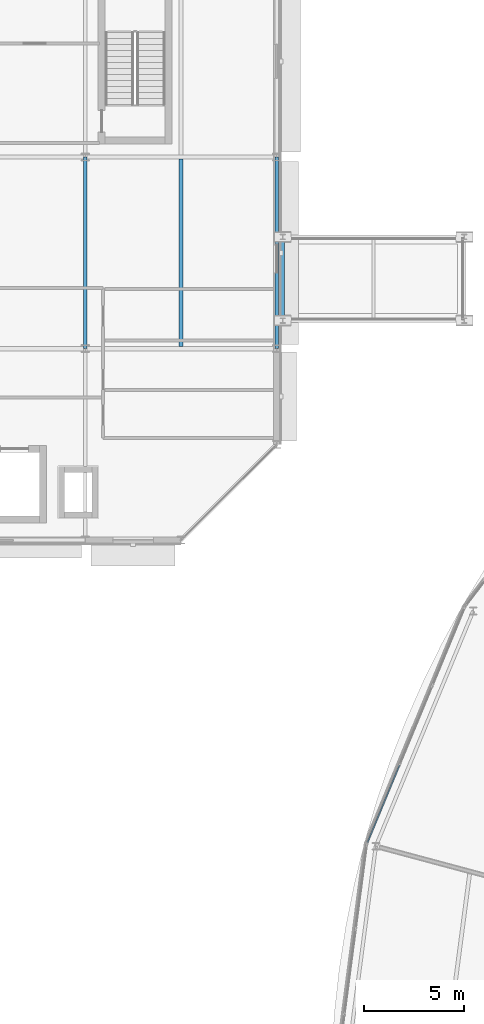
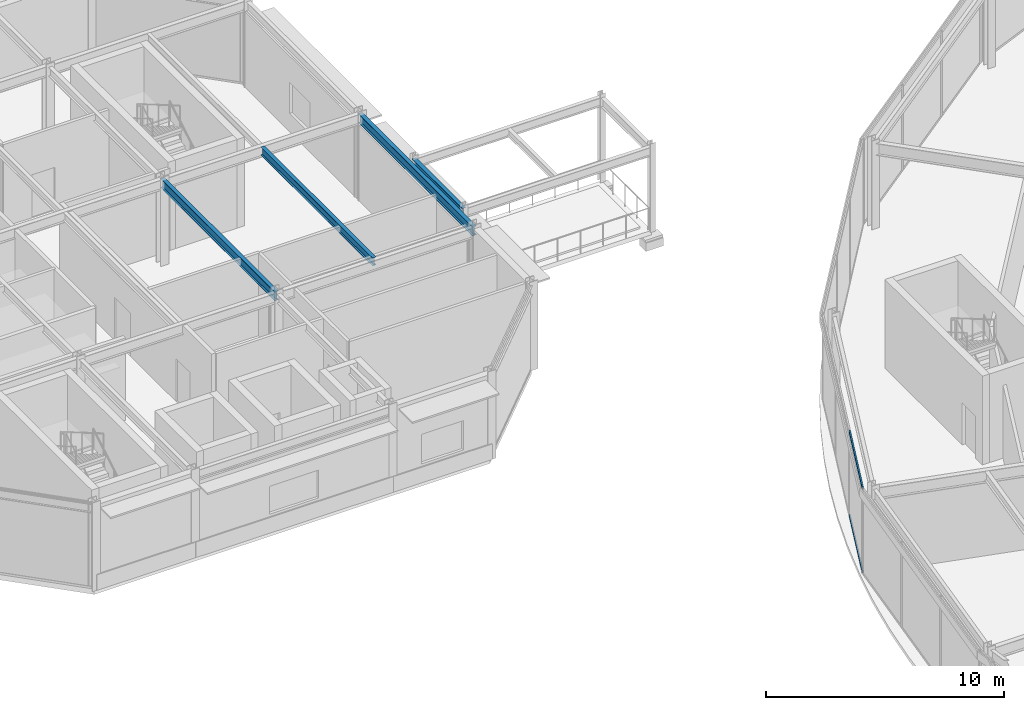
# One storey, part 57 of 157: 4 beams, 2 members, 1 element without a shape of its own.
"""IFC4 building model written with IfcOpenShell, lengths in metres."""

import ifcopenshell
import ifcopenshell.guid

model = None  # the IFC model being written
_history = None  # IfcOwnerHistory: only IFC2X3 demands one
_inside = {}  # id of a spatial element -> (the spatial element, [elements in it])
_under = {}  # id of a project, library or spatial element -> (it, [spatial elements below it])
_declared = {}  # id of a project -> (the project, [libraries it declares])
_typed = {}  # id of a type object -> (the type object, [elements of that type])
_made_of = {}  # id of a material, layer set ... -> (it, [elements and type objects made of it])


def new_model(schema):
    """Start an empty IFC model of exactly this schema.

    Asked for "IFC4X3", IfcOpenShell would pick the latest addendum, in which some entities
    have other attributes; the version numbers below select the first issue.
    IFC2X3 requires an IfcOwnerHistory on every rooted entity: one is made here for all.
    """
    global model, _history
    if schema == "IFC4X3":
        model = ifcopenshell.file(schema_version=(4, 3, 0, 0))
    else:
        model = ifcopenshell.file(schema=schema)
    _inside.clear()
    _under.clear()
    _declared.clear()
    _typed.clear()
    _made_of.clear()
    _history = None
    if model.schema == "IFC2X3":
        org = make("IfcOrganization", Name="unknown")
        user = make(
            "IfcPersonAndOrganization",
            ThePerson=make("IfcPerson", FamilyName="unknown"),
            TheOrganization=org,
        )
        app = make(
            "IfcApplication",
            ApplicationDeveloper=org,
            Version="unknown",
            ApplicationFullName="unknown",
            ApplicationIdentifier="unknown",
        )
        _history = make(
            "IfcOwnerHistory",
            OwningUser=user,
            OwningApplication=app,
            ChangeAction="ADDED",
            CreationDate=0,
        )
    return model


def make(cls, **values):
    """One entity of the class cls with the attributes given. An attribute that is None is left unset."""
    return model.create_entity(
        cls, **{name: value for name, value in values.items() if value is not None}
    )


def rooted(cls, **values):
    """An entity with a GlobalId (a new one), such as an element, a storey or a relation."""
    return make(cls, GlobalId=ifcopenshell.guid.new(), OwnerHistory=_history, **values)


def si_unit(unit_type, name, prefix=None):
    """IfcSIUnit, for example si_unit("LENGTHUNIT", "METRE", prefix="MILLI")."""
    return make("IfcSIUnit", UnitType=unit_type, Prefix=prefix, Name=name)


def assignment(units):
    """IfcUnitAssignment: the units of a project."""
    return None if units is None else make("IfcUnitAssignment", Units=units)


def point(xyz):
    """IfcCartesianPoint."""
    return None if xyz is None else make("IfcCartesianPoint", Coordinates=xyz)


def direction(xyz):
    """IfcDirection."""
    return None if xyz is None else make("IfcDirection", DirectionRatios=xyz)


def frame(location, z_axis=None, x_axis=None):
    """IfcAxis2Placement3D, a coordinate frame: its origin and axes. An axis left out is left unset."""
    return make(
        "IfcAxis2Placement3D",
        Location=point(location),
        Axis=direction(z_axis),
        RefDirection=direction(x_axis),
    )


def frame_2d(location, x_axis=None):
    """IfcAxis2Placement2D, a coordinate frame in the plane: its origin and x axis."""
    return make(
        "IfcAxis2Placement2D", Location=point(location), RefDirection=direction(x_axis)
    )


def origin():
    """The frame at (0, 0, 0) with its axes left unset."""
    return frame((0.0, 0.0, 0.0))


def origin_2d():
    """The frame at (0, 0) in the plane with its x axis left unset."""
    return frame_2d((0.0, 0.0))


def place(relative_to, where):
    """IfcLocalPlacement: puts the frame where relative to a parent placement (None: the world)."""
    return make(
        "IfcLocalPlacement", PlacementRelTo=relative_to, RelativePlacement=where
    )


def context(
    kind, dimensions, precision=None, world=None, true_north=None, identifier=None
):
    """IfcGeometricRepresentationContext, for example the 3D "Model" context."""
    return make(
        "IfcGeometricRepresentationContext",
        ContextIdentifier=identifier,
        ContextType=kind,
        CoordinateSpaceDimension=dimensions,
        Precision=precision,
        WorldCoordinateSystem=world,
        TrueNorth=true_north,
    )


def subcontext(parent, identifier, kind, view, scale=None):
    """IfcGeometricRepresentationSubContext, for example "Body" below "Model"."""
    return make(
        "IfcGeometricRepresentationSubContext",
        ContextIdentifier=identifier,
        ContextType=kind,
        ParentContext=parent,
        TargetScale=scale,
        TargetView=view,
    )


def project(units=None, contexts=None):
    """IfcProject with its units and contexts."""
    return rooted(
        "IfcProject",
        Name="project",
        RepresentationContexts=contexts,
        UnitsInContext=assignment(units),
    )


def spatial(cls, under=None, at=None, **own):
    """A site, building, storey or space (cls), placed at a placement, below another one or the project."""
    s = rooted(cls, ObjectPlacement=at, **own)
    if under is not None:
        _under.setdefault(under.id(), (under, []))[1].append(s)
    return s


def profile(cls, at=None, kind="AREA", **sizes):
    """A parametric profile (cls). Its sizes go by their IFC names, for example OverallWidth=200.0."""
    return make(cls, ProfileType=kind, Position=at, **sizes)


def hollow_rectangle(**sizes):
    """IfcRectangleHollowProfileDef."""
    return profile("IfcRectangleHollowProfileDef", **sizes)


def i_section(**sizes):
    """IfcIShapeProfileDef."""
    return profile("IfcIShapeProfileDef", **sizes)


def extrude(swept, where, along, depth):
    """IfcExtrudedAreaSolid: the profile swept, set in the frame where, extruded along a direction by depth."""
    return make(
        "IfcExtrudedAreaSolid",
        SweptArea=swept,
        Position=where,
        ExtrudedDirection=direction(along),
        Depth=depth,
    )


def shape(context_of_items, identifier, shape_type, items):
    """IfcShapeRepresentation: the items that make up one representation, for example the "Body"."""
    return make(
        "IfcShapeRepresentation",
        ContextOfItems=context_of_items,
        RepresentationIdentifier=identifier,
        RepresentationType=shape_type,
        Items=items,
    )


def material(Name=None, Category=None):
    """IfcMaterial."""
    return make("IfcMaterial", Name=Name, Category=Category)


def material_profile(
    of_material, cross_section, Name=None, Category=None, Priority=None
):
    """IfcMaterialProfile: a cross section and its material."""
    return make(
        "IfcMaterialProfile",
        Name=Name,
        Material=of_material,
        Profile=cross_section,
        Priority=Priority,
        Category=Category,
    )


def profile_set(profiles, Name=None, composite=None):
    """IfcMaterialProfileSet."""
    return make(
        "IfcMaterialProfileSet",
        Name=Name,
        MaterialProfiles=profiles,
        CompositeProfile=composite,
    )


def made_of(thing, what):
    """Note that an element or type object is made of a material, layer set ...; save() writes the relation."""
    if what is not None:
        _made_of.setdefault(what.id(), (what, []))[1].append(thing)
    return thing


def type_object(cls, material=None, **own):
    """A type object (cls), such as IfcWallType, which elements share."""
    return made_of(rooted(cls, **own), material)


def element(
    cls,
    number,
    at=None,
    inside=None,
    cuts=None,
    type_object=None,
    material=None,
    context=None,
    identifier="Body",
    shape_type=None,
    held_by="IfcProductDefinitionShape",
    body=None,
    shapes=None,
    **own,
):
    """One element of the class cls, such as IfcWall. Its Tag is "e" and its number.

    at: its placement. inside: the storey or other place that contains it. cuts: it is an
    opening in that element (IfcRelVoidsElement). A single representation is given by context,
    identifier, shape_type and body (its items); several are given by shapes. held_by: the class
    of the entity that holds the representations. save() writes the other relations.
    """
    e = rooted(cls, Tag="e%d" % number, ObjectPlacement=at, **own)
    if body is not None:
        shapes = [shape(context, identifier, shape_type, body)]
    if shapes is not None:
        e.Representation = make(held_by, Representations=shapes)
    if inside is not None:
        _inside.setdefault(inside.id(), (inside, []))[1].append(e)
    if cuts is not None:
        rooted(
            "IfcRelVoidsElement", RelatingBuildingElement=cuts, RelatedOpeningElement=e
        )
    if type_object is not None:
        _typed.setdefault(type_object.id(), (type_object, []))[1].append(e)
    return made_of(e, material)


def aggregate(whole, parts):
    """IfcRelAggregates: a whole, such as a stair, and the parts it consists of."""
    return rooted("IfcRelAggregates", RelatingObject=whole, RelatedObjects=parts)


def save(model, path):
    """Write the relations noted so far, then the file.

    IfcRelAggregates (storeys below a building ...), IfcRelContainedInSpatialStructure (elements
    in a storey), IfcRelDefinesByType, IfcRelAssociatesMaterial and IfcRelDeclares: one each for
    every whole, place, type object, material and project.
    """
    for whole, parts in _under.values():
        aggregate(whole, parts)
    for where, things in _inside.values():
        rooted(
            "IfcRelContainedInSpatialStructure",
            RelatedElements=things,
            RelatingStructure=where,
        )
    for kind, things in _typed.values():
        rooted("IfcRelDefinesByType", RelatedObjects=things, RelatingType=kind)
    for what, things in _made_of.values():
        rooted("IfcRelAssociatesMaterial", RelatedObjects=things, RelatingMaterial=what)
    for by, libraries in _declared.values():
        rooted("IfcRelDeclares", RelatingContext=by, RelatedDefinitions=libraries)
    model.write(path)


model = new_model("IFC4")

# Units and contexts
model_context = context("Model", 3, precision=1e-05, world=origin(), true_north=direction((0.0, 1.0)))
body_context = subcontext(model_context, "Body", "Model", "MODEL_VIEW")
ifc_project = project(units=[si_unit("LENGTHUNIT", "METRE"), si_unit("AREAUNIT", "SQUARE_METRE"), si_unit("VOLUMEUNIT", "CUBIC_METRE"), si_unit("PLANEANGLEUNIT", "RADIAN"), si_unit("MASSUNIT", "GRAM", prefix="KILO")], contexts=[model_context])

# Site, building, storey
site_placement = place(None, origin())
site = spatial("IfcSite", under=ifc_project, at=site_placement, CompositionType="ELEMENT")
building_placement = place(site_placement, origin())
building = spatial("IfcBuilding", under=site, at=building_placement, Name="Almandine Court Research Institute", CompositionType="ELEMENT")
storey_placement = place(building_placement, frame((0.0, 0.0, 5.25)))
storey = spatial("IfcBuildingStorey", under=building, at=storey_placement, Name="L01", CompositionType="ELEMENT", Elevation=5.25)

# Beams
ifc_material_1 = material(Name="Steel ASTM A992 Grade 50", Category="steel")
ifc_material_profile_1 = material_profile(ifc_material_1, i_section(OverallWidth=0.18994140625, OverallDepth=0.45703125, WebThickness=0.009033203125, FlangeThickness=0.014892578125, at=origin_2d()), Name="W460x74")
ifc_profile_set_1 = profile_set([ifc_material_profile_1], Name="Steel ASTM A992 Grade 50")
beam_type_1 = type_object("IfcBeamType", Name="Beam-B-01", PredefinedType="BEAM", material=ifc_profile_set_1)
beam_1_placement = place(storey_placement, frame((25.199951171875, 93.60009765625, 4.14111328125), z_axis=(0.0, 1.0, 0.0), x_axis=(-1.0, 0.0, 0.0)))
element("IfcBeam", 1, at=beam_1_placement, inside=storey, type_object=beam_type_1, Name="L01 V3 Primary Y Girder", PredefinedType="BEAM", context=body_context, shape_type="SweptSolid", body=[
    extrude(i_section(OverallWidth=0.18994140625, OverallDepth=0.45703125, WebThickness=0.009033203125, FlangeThickness=0.014892578125, at=origin_2d()), origin(), (0.0, 0.0, 1.0), 9.599853515625),
])
ifc_material_profile_2 = material_profile(ifc_material_1, i_section(OverallWidth=0.178955078125, OverallDepth=0.409912109375, WebThickness=0.009033203125, FlangeThickness=0.013916015625, at=origin_2d()), Name="W410x67")
ifc_profile_set_2 = profile_set([ifc_material_profile_2], Name="Steel ASTM A992 Grade 50")
beam_type_2 = type_object("IfcBeamType", Name="Beam-B-02", PredefinedType="JOIST", material=ifc_profile_set_2)
beam_2_placement = place(storey_placement, frame((30.0, 93.702880859375, 4.1650390625), z_axis=(0.0, 1.0, 0.0), x_axis=(-1.0, 0.0, 0.0)))
element("IfcBeam", 2, at=beam_2_placement, inside=storey, type_object=beam_type_2, Name="L01 V3 Composite Secondary Beam", PredefinedType="JOIST", context=body_context, shape_type="SweptSolid", body=[
    extrude(i_section(OverallWidth=0.178955078125, OverallDepth=0.409912109375, WebThickness=0.009033203125, FlangeThickness=0.013916015625, at=origin_2d()), origin(), (0.0, 0.0, 1.0), 9.39404296875),
])
ifc_material_profile_3 = material_profile(ifc_material_1, i_section(OverallWidth=0.193115234375, OverallDepth=0.466064453125, WebThickness=0.010986328125, FlangeThickness=0.01904296875, at=origin_2d()), Name="W460x97")
ifc_profile_set_3 = profile_set([ifc_material_profile_3], Name="Steel ASTM A992 Grade 50")
beam_type_3 = type_object("IfcBeamType", Name="Beam-G-06-E", PredefinedType="SPANDREL", material=ifc_profile_set_3)
beam_3_placement = place(storey_placement, frame((34.800048828125, 93.60009765625, 4.114990234375), z_axis=(0.0, 1.0, 0.0), x_axis=(-1.0, 0.0, 0.0)))
element("IfcBeam", 3, at=beam_3_placement, inside=storey, type_object=beam_type_3, Name="L01 V3 Primary Y Girder", PredefinedType="SPANDREL", context=body_context, shape_type="SweptSolid", body=[
    extrude(i_section(OverallWidth=0.193115234375, OverallDepth=0.466064453125, WebThickness=0.010986328125, FlangeThickness=0.01904296875, at=origin_2d()), origin(), (0.0, 0.0, 1.0), 9.599853515625),
])
beam_4_placement = place(storey_placement, frame((35.10009765625, 95.0, 4.116943359375), z_axis=(0.0, 1.0, 0.0), x_axis=(-1.0, 0.0, 0.0)))
element("IfcBeam", 4, at=beam_4_placement, inside=storey, type_object=beam_type_3, Name="L01 DAL-NW Primary Y Girder", PredefinedType="SPANDREL", context=body_context, shape_type="SweptSolid", body=[
    extrude(i_section(OverallWidth=0.193115234375, OverallDepth=0.466064453125, WebThickness=0.010986328125, FlangeThickness=0.01904296875, at=origin_2d()), origin(), (0.0, 0.0, 1.0), 4.199951171875),
])

# Curtain wall, members
ifc_material_2 = material(Name="Unitised Curtain Wall Framing and Solar Glazing", Category="glass")
curtain_wall_type = type_object("IfcCurtainWallType", Name="CW-CWJ-19", PredefinedType="USERDEFINED", material=ifc_material_2)
curtain_wall_placement = place(storey_placement, origin())
curtain_wall = element("IfcCurtainWall", 5, at=curtain_wall_placement, inside=storey, type_object=curtain_wall_type, Name="L01 Stacked-Ring Drum Outer Solar Jali Screen 10", ObjectType="SOLAR JALI SCREEN", PredefinedType="USERDEFINED")
ifc_material_3 = material(Name="Anodised Aluminium AW-6063-T6", Category="aluminium")
ifc_material_profile_4 = material_profile(ifc_material_3, hollow_rectangle(XDim=0.06494140625, YDim=0.1298828125, WallThickness=0.00390625, at=origin_2d()), Name="ALU RHS 65x130x4")
ifc_profile_set_4 = profile_set([ifc_material_profile_4], Name="Anodised Aluminium AW-6063-T6")
member_type = type_object("IfcMemberType", Name="CWTrn-65x130", PredefinedType="NOTDEFINED", material=ifc_profile_set_4)
member_1_placement = place(storey_placement, frame((39.347900390625, 68.839111328125, 0.032470703125), z_axis=(0.382631051398, 0.923901227679, 0.0), x_axis=(-0.923901227679, 0.382631051398, 0.0)))
member_1 = element("IfcMember", 6, at=member_1_placement, type_object=member_type, Name="CWJ-19 transom 1.1", ObjectType="TRANSOM", PredefinedType="USERDEFINED", context=body_context, shape_type="SweptSolid", body=[
    extrude(hollow_rectangle(XDim=0.06494140625, YDim=0.1298828125, WallThickness=0.00390625, at=origin_2d()), origin(), (0.0, 0.0, 1.0), 4.1953125),
])
member_2_placement = place(storey_placement, frame((39.347900390625, 68.839111328125, 4.33740234375), z_axis=(0.382631051398, 0.923901227679, 0.0), x_axis=(-0.923901227679, 0.382631051398, 0.0)))
member_2 = element("IfcMember", 7, at=member_2_placement, type_object=member_type, Name="CWJ-19 transom 1.2", ObjectType="TRANSOM", PredefinedType="USERDEFINED", context=body_context, shape_type="SweptSolid", body=[
    extrude(hollow_rectangle(XDim=0.06494140625, YDim=0.1298828125, WallThickness=0.00390625, at=origin_2d()), origin(), (0.0, 0.0, 1.0), 4.1953125),
])
aggregate(curtain_wall, [member_1, member_2])

save(model, "model.ifc")
